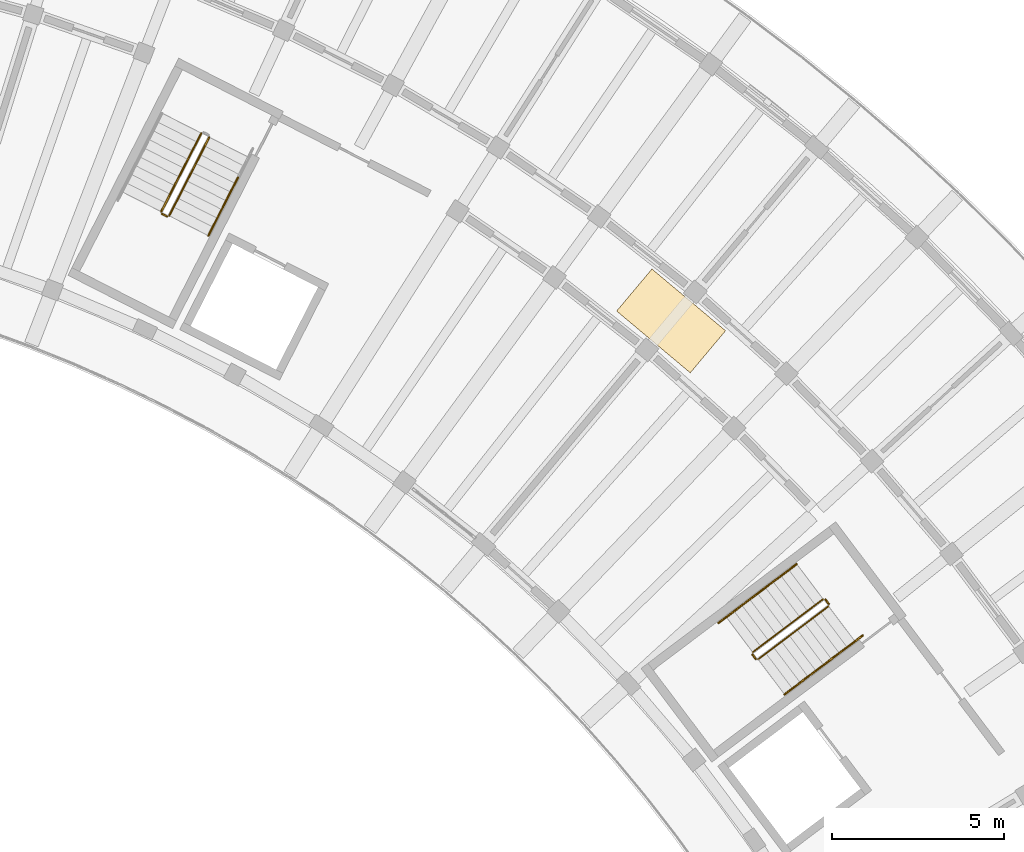
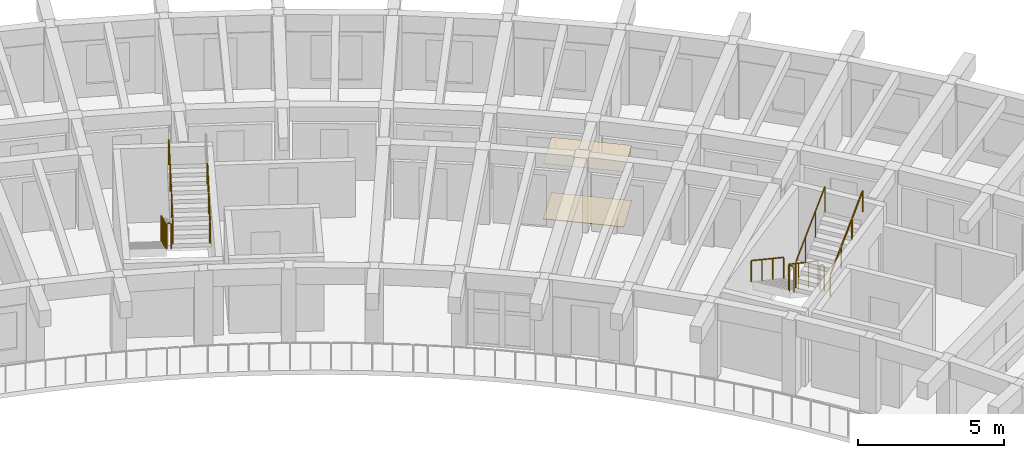
# One storey, part 38 of 41: 15 railings, 2 coverings.
"""IFC4 building model written with IfcOpenShell, lengths in metres."""

from ifc_helpers import new_model, si_unit, direction, frame, origin, origin_2d, place, context, subcontext, project, spatial, rectangle, circle, extrude, material, layer, layer_set, type_object, element, save


model = new_model("IFC4")

# Units and contexts
model_context = context("Model", 3, precision=1e-05, world=origin(), true_north=direction((0.0, 1.0)))
body_context = subcontext(model_context, "Body", "Model", "MODEL_VIEW")
ifc_project = project(units=[si_unit("LENGTHUNIT", "METRE"), si_unit("AREAUNIT", "SQUARE_METRE"), si_unit("VOLUMEUNIT", "CUBIC_METRE"), si_unit("PLANEANGLEUNIT", "RADIAN"), si_unit("MASSUNIT", "GRAM", prefix="KILO")], contexts=[model_context])

# Site, building, storey
site_placement = place(None, origin())
site = spatial("IfcSite", under=ifc_project, at=site_placement, CompositionType="ELEMENT")
building_placement = place(site_placement, origin())
building = spatial("IfcBuilding", under=site, at=building_placement, Name="Tanwirah Colonnade Gardens", CompositionType="ELEMENT")
storey_placement = place(building_placement, frame((0.0, 0.0, 35.719970703125)))
storey = spatial("IfcBuildingStorey", under=building, at=storey_placement, Name="L10", CompositionType="ELEMENT", Elevation=35.719970703125)

# Coverings
ifc_material_1 = material(Name="Acoustic perforated gypsum ceiling board")
ifc_layer_1 = layer(ifc_material_1, 0.014892578125)
ifc_layer_set_1 = layer_set([ifc_layer_1], Name="Acoustic perforated gypsum ceiling board")
covering_type_1 = type_object("IfcCoveringType", Name="COV-CEIL15", PredefinedType="CEILING", material=ifc_layer_set_1)
covering_1_placement = place(storey_placement, frame((155.03564453125, 100.761962890625, 2.3125), z_axis=(0.0, 0.0, 1.0), x_axis=(-0.766044443119, 0.642787609687, 0.0)))
element("IfcCovering", 1, at=covering_1_placement, inside=storey, type_object=covering_type_1, Name="Block B L10 Corridor Acoustic Ceiling", PredefinedType="CEILING", context=body_context, shape_type="SweptSolid", body=[
    extrude(rectangle(XDim=2.800048828125, YDim=1.60009765625, at=origin_2d()), origin(), (0.0, 0.0, 1.0), 0.014892578125),
])
ifc_material_2 = material(Name="Honed Abu Dhabi limestone terrazzo flooring", Category="masonry")
ifc_layer_2 = layer(ifc_material_2, 0.02001953125)
ifc_layer_set_2 = layer_set([ifc_layer_2], Name="Honed Abu Dhabi limestone terrazzo flooring")
covering_type_2 = type_object("IfcCoveringType", Name="COV-FLR20", PredefinedType="FLOORING", material=ifc_layer_set_2)
covering_2_placement = place(storey_placement, frame((155.03564453125, 100.761962890625, 0.0), z_axis=(0.0, 0.0, 1.0), x_axis=(-0.766044443119, 0.642787609687, 0.0)))
element("IfcCovering", 2, at=covering_2_placement, inside=storey, type_object=covering_type_2, Name="Block B L10 Corridor Terrazzo Flooring", PredefinedType="FLOORING", context=body_context, shape_type="SweptSolid", body=[
    extrude(rectangle(XDim=2.800048828125, YDim=1.60009765625, at=origin_2d()), origin(), (0.0, 0.0, 1.0), 0.02001953125),
])

# Railings
ifc_material_3 = material(Name="Powder-coated galvanized steel", Category="steel")
railing_type_1 = type_object("IfcRailingType", Name="GRD-ST110", PredefinedType="GUARDRAIL", material=ifc_material_3)
railing_1_placement = place(storey_placement, frame((159.46435546875, 92.6533203125, 0.16796875)))
element("IfcRailing", 3, at=railing_1_placement, inside=storey, type_object=railing_type_1, Name="L10 ST-B1 stair guard 1", PredefinedType="GUARDRAIL", context=body_context, shape_type="SweptSolid", body=[
    extrude(circle(Radius=0.02392578125, at=origin_2d()), frame((-0.021484375, -0.01611328125, 1.092041015625), z_axis=(-0.687998426946, -0.518417885, 0.507839601678), x_axis=(0.601795686627, -0.798650080797, 0.0)), (0.0, 0.0, 1.0), 2.914794921875),
    extrude(circle(Radius=0.02099609375, at=origin_2d()), origin(), (0.0, 0.0, 1.0), 1.049072265625),
    extrude(circle(Radius=0.02099609375, at=origin_2d()), frame((-0.682861328125, -0.514404296875, 0.50390625)), (0.0, 0.0, 1.0), 1.049072265625),
    extrude(circle(Radius=0.02099609375, at=origin_2d()), frame((-1.365478515625, -1.029052734375, 1.008056640625)), (0.0, 0.0, 1.0), 1.049072265625),
    extrude(circle(Radius=0.02099609375, at=origin_2d()), frame((-2.04833984375, -1.54345703125, 1.511962890625)), (0.0, 0.0, 1.0), 1.049072265625),
])
railing_2_placement = place(storey_placement, frame((157.406005859375, 91.039794921875, 1.679931640625)))
element("IfcRailing", 4, at=railing_2_placement, inside=storey, type_object=railing_type_1, Name="L10 ST-B1 stair guard 2", PredefinedType="GUARDRAIL", context=body_context, shape_type="SweptSolid", body=[
    extrude(circle(Radius=0.02392578125, at=origin_2d()), frame((0.018798828125, -0.02490234375, 1.076171875), z_axis=(0.601948835455, -0.798534657667, 0.0), x_axis=(0.798534657667, 0.601948835455, 0.0)), (0.0, 0.0, 1.0), 0.09765625),
    extrude(circle(Radius=0.02099609375, at=origin_2d()), origin(), (0.0, 0.0, 1.0), 1.049072265625),
    extrude(circle(Radius=0.02099609375, at=origin_2d()), frame((0.096435546875, -0.1279296875, 0.0)), (0.0, 0.0, 1.0), 1.049072265625),
])
railing_3_placement = place(storey_placement, frame((157.572265625, 90.902099609375, 1.84814453125)))
element("IfcRailing", 5, at=railing_3_placement, inside=storey, type_object=railing_type_1, Name="L10 ST-B1 stair guard 3", PredefinedType="GUARDRAIL", context=body_context, shape_type="SweptSolid", body=[
    extrude(circle(Radius=0.02392578125, at=origin_2d()), frame((0.021484375, 0.01611328125, 1.092041015625), z_axis=(0.688012363654, 0.518448596756, 0.507789365762), x_axis=(-0.601810650199, 0.798638805285, 0.0)), (0.0, 0.0, 1.0), 2.9150390625),
    extrude(circle(Radius=0.02099609375, at=origin_2d()), origin(), (0.0, 0.0, 1.0), 1.049072265625),
    extrude(circle(Radius=0.02099609375, at=origin_2d()), frame((0.682861328125, 0.5146484375, 0.50390625)), (0.0, 0.0, 1.0), 1.049072265625),
    extrude(circle(Radius=0.02099609375, at=origin_2d()), frame((1.36572265625, 1.029052734375, 1.008056640625)), (0.0, 0.0, 1.0), 1.049072265625),
    extrude(circle(Radius=0.02099609375, at=origin_2d()), frame((2.048583984375, 1.543701171875, 1.511962890625)), (0.0, 0.0, 1.0), 1.049072265625),
])
railing_4_placement = place(storey_placement, frame((159.534423828125, 92.6435546875, 0.0)))
element("IfcRailing", 6, at=railing_4_placement, inside=storey, type_object=railing_type_1, Name="L10 ST-B1 stair guard 4", PredefinedType="GUARDRAIL", context=body_context, shape_type="SweptSolid", body=[
    extrude(circle(Radius=0.02392578125, at=origin_2d()), frame((0.018798828125, -0.02490234375, 1.076171875), z_axis=(0.601709070646, -0.798715339969, 0.0), x_axis=(0.798715339969, 0.601709070646, 0.0)), (0.0, 0.0, 1.0), 0.097412109375),
    extrude(circle(Radius=0.02099609375, at=origin_2d()), origin(), (0.0, 0.0, 1.0), 1.049072265625),
    extrude(circle(Radius=0.02099609375, at=origin_2d()), frame((0.09619140625, -0.127685546875, 0.0)), (0.0, 0.0, 1.0), 1.049072265625),
])
railing_5_placement = place(storey_placement, frame((141.344970703125, 106.230712890625, 0.16796875)))
element("IfcRailing", 7, at=railing_5_placement, inside=storey, type_object=railing_type_1, Name="L10 ST-B2 stair guard 1", PredefinedType="GUARDRAIL", context=body_context, shape_type="SweptSolid", body=[
    extrude(circle(Radius=0.02392578125, at=origin_2d()), frame((-0.01220703125, -0.02392578125, 1.092041015625), z_axis=(-0.3911222872, -0.767567239095, 0.507803003067), x_axis=(0.890993730975, -0.45401560696, 0.0)), (0.0, 0.0, 1.0), 2.9150390625),
    extrude(circle(Radius=0.02099609375, at=origin_2d()), origin(), (0.0, 0.0, 1.0), 1.049072265625),
    extrude(circle(Radius=0.02099609375, at=origin_2d()), frame((-0.38818359375, -0.76171875, 0.50390625)), (0.0, 0.0, 1.0), 1.049072265625),
    extrude(circle(Radius=0.02099609375, at=origin_2d()), frame((-0.7763671875, -1.523681640625, 1.008056640625)), (0.0, 0.0, 1.0), 1.049072265625),
    extrude(circle(Radius=0.02099609375, at=origin_2d()), frame((-1.16455078125, -2.285400390625, 1.511962890625)), (0.0, 0.0, 1.0), 1.049072265625),
])
railing_6_placement = place(storey_placement, frame((140.202392578125, 103.8779296875, 1.679931640625)))
element("IfcRailing", 8, at=railing_6_placement, inside=storey, type_object=railing_type_1, Name="L10 ST-B2 stair guard 2", PredefinedType="GUARDRAIL", context=body_context, shape_type="SweptSolid", body=[
    extrude(circle(Radius=0.02392578125, at=origin_2d()), frame((0.02783203125, -0.01416015625, 1.076171875), z_axis=(0.891353773095, -0.453308340084, 0.0), x_axis=(0.453308340084, 0.891353773095, 0.0)), (0.0, 0.0, 1.0), 0.097412109375),
    extrude(circle(Radius=0.02099609375, at=origin_2d()), origin(), (0.0, 0.0, 1.0), 1.049072265625),
    extrude(circle(Radius=0.02099609375, at=origin_2d()), frame((0.142578125, -0.072509765625, 0.0)), (0.0, 0.0, 1.0), 1.049072265625),
])
railing_7_placement = place(storey_placement, frame((140.412109375, 103.8271484375, 1.84814453125)))
element("IfcRailing", 9, at=railing_7_placement, inside=storey, type_object=railing_type_1, Name="L10 ST-B2 stair guard 3", PredefinedType="GUARDRAIL", context=body_context, shape_type="SweptSolid", body=[
    extrude(circle(Radius=0.02392578125, at=origin_2d()), frame((0.01220703125, 0.02392578125, 1.092041015625), z_axis=(0.3911222872, 0.767567239095, 0.507803003067), x_axis=(-0.890993730975, 0.45401560696, 0.0)), (0.0, 0.0, 1.0), 2.9150390625),
    extrude(circle(Radius=0.02099609375, at=origin_2d()), origin(), (0.0, 0.0, 1.0), 1.049072265625),
    extrude(circle(Radius=0.02099609375, at=origin_2d()), frame((0.38818359375, 0.76171875, 0.50390625)), (0.0, 0.0, 1.0), 1.049072265625),
    extrude(circle(Radius=0.02099609375, at=origin_2d()), frame((0.7763671875, 1.523681640625, 1.008056640625)), (0.0, 0.0, 1.0), 1.049072265625),
    extrude(circle(Radius=0.02099609375, at=origin_2d()), frame((1.16455078125, 2.285400390625, 1.511962890625)), (0.0, 0.0, 1.0), 1.049072265625),
])
ifc_material_4 = material(Name="Brushed bronze stainless steel", Category="steel")
railing_type_2 = type_object("IfcRailingType", Name="HR-ST090", PredefinedType="HANDRAIL", material=ifc_material_4)
railing_8_placement = place(storey_placement, frame((158.694091796875, 93.67578125, 0.16796875)))
element("IfcRailing", 10, at=railing_8_placement, inside=storey, type_object=railing_type_2, Name="L10 ST-B1 stair handrail 1", PredefinedType="HANDRAIL", context=body_context, shape_type="SweptSolid", body=[
    extrude(circle(Radius=0.02392578125, at=origin_2d()), frame((-0.021484375, -0.01611328125, 0.891845703125), z_axis=(-0.686067825084, -0.516979036791, 0.511901958292), x_axis=(0.601807485929, -0.798641189696, 0.0)), (0.0, 0.0, 1.0), 1.04345703125),
    extrude(circle(Radius=0.02099609375, at=origin_2d()), origin(), (0.0, 0.0, 1.0), 0.848876953125),
    extrude(circle(Radius=0.02099609375, at=origin_2d()), frame((-0.7587890625, -0.57177734375, 0.566162109375)), (0.0, 0.0, 1.0), 0.848876953125),
])
railing_9_placement = place(storey_placement, frame((157.935302734375, 93.10400390625, 0.734130859375)))
element("IfcRailing", 11, at=railing_9_placement, inside=storey, type_object=railing_type_2, Name="L10 ST-B1 stair handrail 2", PredefinedType="HANDRAIL", context=body_context, shape_type="SweptSolid", body=[
    extrude(circle(Radius=0.02392578125, at=origin_2d()), frame((-0.021484375, -0.01611328125, 0.891845703125), z_axis=(-0.686028488458, -0.517115777267, 0.511816554955), x_axis=(0.601931007785, -0.798548096152, 0.0)), (0.0, 0.0, 1.0), 1.043212890625),
    extrude(circle(Radius=0.02099609375, at=origin_2d()), origin(), (0.0, 0.0, 1.0), 0.848876953125),
    extrude(circle(Radius=0.02099609375, at=origin_2d()), frame((-0.758544921875, -0.57177734375, 0.56591796875)), (0.0, 0.0, 1.0), 0.848876953125),
])
railing_10_placement = place(storey_placement, frame((157.1767578125, 92.5322265625, 1.300048828125)))
element("IfcRailing", 12, at=railing_10_placement, inside=storey, type_object=railing_type_2, Name="L10 ST-B1 stair handrail 3", PredefinedType="HANDRAIL", context=body_context, shape_type="SweptSolid", body=[
    extrude(circle(Radius=0.02392578125, at=origin_2d()), frame((-0.021484375, -0.01611328125, 0.891845703125), z_axis=(-0.686145346169, -0.517037451972, 0.51173903231), x_axis=(0.601807485929, -0.798641189696, 0.0)), (0.0, 0.0, 1.0), 1.04345703125),
    extrude(circle(Radius=0.02099609375, at=origin_2d()), origin(), (0.0, 0.0, 1.0), 0.848876953125),
    extrude(circle(Radius=0.02099609375, at=origin_2d()), frame((-0.7587890625, -0.57177734375, 0.56591796875)), (0.0, 0.0, 1.0), 0.848876953125),
])
railing_11_placement = place(storey_placement, frame((158.3427734375, 89.8798828125, 1.84814453125)))
element("IfcRailing", 13, at=railing_11_placement, inside=storey, type_object=railing_type_2, Name="L10 ST-B1 stair handrail 4", PredefinedType="HANDRAIL", context=body_context, shape_type="SweptSolid", body=[
    extrude(circle(Radius=0.02392578125, at=origin_2d()), frame((0.021484375, 0.01611328125, 0.891845703125), z_axis=(0.686028488458, 0.517115777267, 0.511816554955), x_axis=(-0.601931007785, 0.798548096152, 0.0)), (0.0, 0.0, 1.0), 1.043212890625),
    extrude(circle(Radius=0.02099609375, at=origin_2d()), origin(), (0.0, 0.0, 1.0), 0.848876953125),
    extrude(circle(Radius=0.02099609375, at=origin_2d()), frame((0.758544921875, 0.57177734375, 0.56591796875)), (0.0, 0.0, 1.0), 0.848876953125),
])
railing_12_placement = place(storey_placement, frame((159.101318359375, 90.45166015625, 2.4140625)))
element("IfcRailing", 14, at=railing_12_placement, inside=storey, type_object=railing_type_2, Name="L10 ST-B1 stair handrail 5", PredefinedType="HANDRAIL", context=body_context, shape_type="SweptSolid", body=[
    extrude(circle(Radius=0.02392578125, at=origin_2d()), frame((0.021484375, 0.01611328125, 0.891845703125), z_axis=(0.686145346169, 0.517037451972, 0.51173903231), x_axis=(-0.601807485929, 0.798641189696, 0.0)), (0.0, 0.0, 1.0), 1.04345703125),
    extrude(circle(Radius=0.02099609375, at=origin_2d()), origin(), (0.0, 0.0, 1.0), 0.848876953125),
    extrude(circle(Radius=0.02099609375, at=origin_2d()), frame((0.7587890625, 0.57177734375, 0.56591796875)), (0.0, 0.0, 1.0), 0.848876953125),
])
railing_13_placement = place(storey_placement, frame((159.860107421875, 91.0234375, 2.97998046875)))
element("IfcRailing", 15, at=railing_13_placement, inside=storey, type_object=railing_type_2, Name="L10 ST-B1 stair handrail 6", PredefinedType="HANDRAIL", context=body_context, shape_type="SweptSolid", body=[
    extrude(circle(Radius=0.02392578125, at=origin_2d()), frame((0.021484375, 0.01611328125, 0.891845703125), z_axis=(0.686146115326, 0.516817263828, 0.511960373694), x_axis=(-0.601643549736, 0.798764695677, 0.0)), (0.0, 0.0, 1.0), 1.04345703125),
    extrude(circle(Radius=0.02099609375, at=origin_2d()), origin(), (0.0, 0.0, 1.0), 0.848876953125),
    extrude(circle(Radius=0.02099609375, at=origin_2d()), frame((0.7587890625, 0.571533203125, 0.566162109375)), (0.0, 0.0, 1.0), 0.848876953125),
])
for number, where, name in (
    (16, (141.552490234375, 103.24609375, 1.84814453125), "L10 ST-B2 stair handrail 4"),
    (17, (141.98388671875, 104.092529296875, 2.4140625), "L10 ST-B2 stair handrail 5"),
):
    element("IfcRailing", number, at=place(storey_placement, frame(where)), inside=storey, type_object=railing_type_2, Name=name, PredefinedType="HANDRAIL", context=body_context, shape_type="SweptSolid", body=[
        extrude(circle(Radius=0.02392578125, at=origin_2d()), frame((0.01220703125, 0.02392578125, 0.891845703125), z_axis=(0.390117538533, 0.765442844423, 0.51176709356), x_axis=(-0.890957114254, 0.454087459154, 0.0)), (0.0, 0.0, 1.0), 1.043212890625),
        extrude(circle(Radius=0.02099609375, at=origin_2d()), origin(), (0.0, 0.0, 1.0), 0.848876953125),
        extrude(circle(Radius=0.02099609375, at=origin_2d()), frame((0.431396484375, 0.846435546875, 0.56591796875)), (0.0, 0.0, 1.0), 0.848876953125),
    ])

save(model, "model.ifc")
